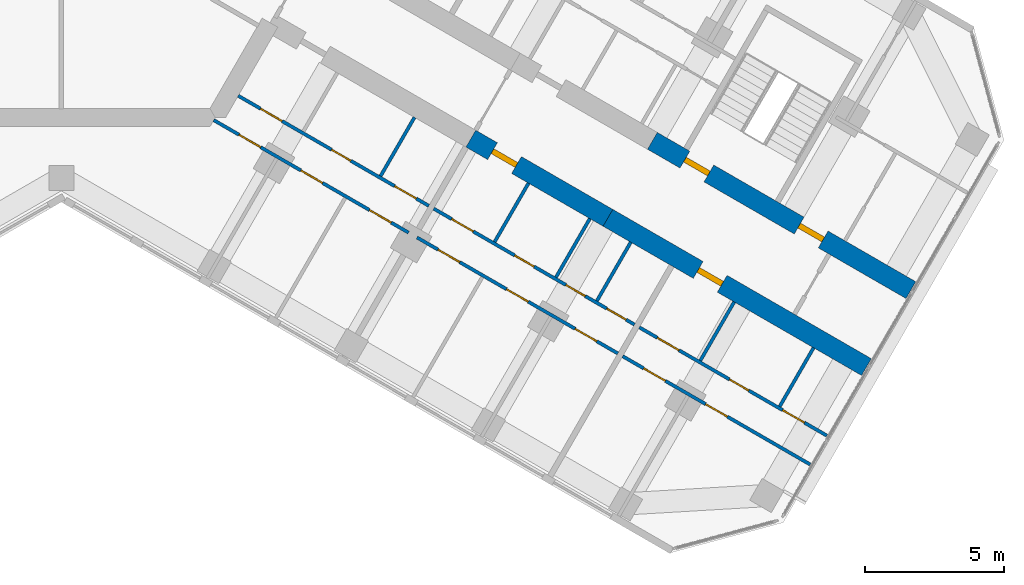
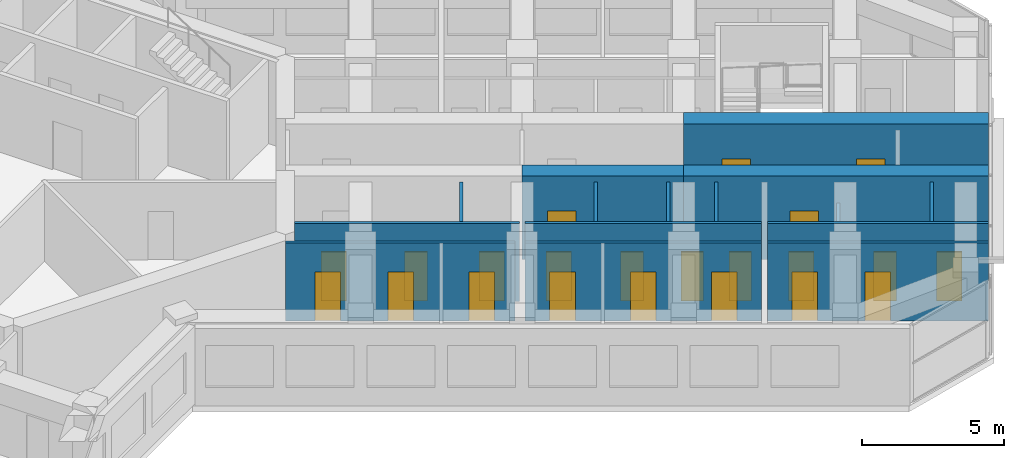
# One storey, part 11 of 16: 22 doors, 15 walls, 22 openings.
"""IFC4 building model written with IfcOpenShell, lengths in metres."""

from ifc_helpers import new_model, si_unit, direction, frame, frame_2d, origin, place, context, subcontext, project, spatial, rectangle, extrude, material, layer, layer_set, type_object, element, fill, save


model = new_model("IFC4")

# Units and contexts
model_context = context("Model", 3, precision=1e-05, world=origin(), true_north=direction((0.0, 1.0)))
body_context = subcontext(model_context, "Body", "Model", "MODEL_VIEW")
ifc_project = project(units=[si_unit("LENGTHUNIT", "METRE"), si_unit("AREAUNIT", "SQUARE_METRE"), si_unit("VOLUMEUNIT", "CUBIC_METRE"), si_unit("PLANEANGLEUNIT", "RADIAN"), si_unit("MASSUNIT", "GRAM", prefix="KILO")], contexts=[model_context])

# Site, building, storey
site_placement = place(None, origin())
site = spatial("IfcSite", under=ifc_project, at=site_placement, CompositionType="ELEMENT")
building_placement = place(site_placement, origin())
building = spatial("IfcBuilding", under=site, at=building_placement, Name="Kosmar Iwan School Tower", CompositionType="ELEMENT")
storey_placement = place(building_placement, frame((0.0, 0.0, 197.39990234375)))
storey = spatial("IfcBuildingStorey", under=building, at=storey_placement, Name="L49", CompositionType="ELEMENT", Elevation=197.39990234375)

# Wall, openings, doors
ifc_material_1 = material(Name="Concrete C50/60", Category="concrete")
ifc_layer_1 = layer(ifc_material_1, 0.699951171875)
ifc_layer_set_1 = layer_set([ifc_layer_1], Name="Corridor buttress wall 700")
wall_type_1 = type_object("IfcWallType", Name="Corridor buttress wall 700", PredefinedType="SHEAR", material=ifc_layer_set_1)
wall_1_placement = place(storey_placement, frame((21.281494140625, -10.439453125, 0.0), z_axis=(0.0, 0.0, 1.0), x_axis=(0.866032345022, -0.499987977232, 0.0)))
wall_1 = element("IfcWall", 1, at=wall_1_placement, inside=storey, type_object=wall_type_1, Name="Corridor wall CL bay 3", PredefinedType="SHEAR", context=body_context, shape_type="SweptSolid", body=[
    extrude(rectangle(XDim=10.744873046875, YDim=0.699951171875, at=frame_2d((5.37255859375, 0.0))), origin(), (0.0, 0.0, 1.0), 3.60009765625),
])
opening_1_placement = place(wall_1_placement, frame((6.10009765625, 0.0, 0.0)))
opening_1 = element("IfcOpeningElement", 2, at=opening_1_placement, cuts=wall_1, Name="Opening D1", PredefinedType="OPENING", context=body_context, shape_type="SweptSolid", body=[
    extrude(rectangle(XDim=1.0, YDim=2.10009765625, at=frame_2d((0.5, 1.050048828125))), frame((0.0, 0.362060546875, 0.0), z_axis=(0.0, -1.0, 0.0), x_axis=(1.0, 0.0, 0.0)), (0.0, 0.0, 1.0), 0.723876953125),
])
opening_2_placement = place(wall_1_placement, frame((1.35009765625, 0.0, 0.0)))
opening_2 = element("IfcOpeningElement", 3, at=opening_2_placement, cuts=wall_1, Name="Opening D6", PredefinedType="OPENING", context=body_context, shape_type="SweptSolid", body=[
    extrude(rectangle(XDim=1.0, YDim=2.10009765625, at=frame_2d((0.5, 1.050048828125))), frame((0.0, 0.362060546875, 0.0), z_axis=(0.0, -1.0, 0.0), x_axis=(1.0, 0.0, 0.0)), (0.0, 0.0, 1.0), 0.723876953125),
])
ifc_material_2 = material(Name="Timber fire door in steel frame", Category="steel")
door_type_1 = type_object("IfcDoorType", Name="Flat entrance door 1000x2100", OperationType="SINGLE_SWING_LEFT", PredefinedType="DOOR", material=ifc_material_2)
door_1_placement = place(opening_1_placement, origin())
door_1 = element("IfcDoor", 4, at=door_1_placement, inside=storey, type_object=door_type_1, Name="Flat L49-CL3 entrance door", OperationType="SINGLE_SWING_RIGHT", OverallHeight=2.10009765625, OverallWidth=1.0, PredefinedType="DOOR", context=body_context, shape_type="SweptSolid", body=[
    extrude(rectangle(XDim=1.0, YDim=2.10009765625, at=frame_2d((0.5, 1.050048828125))), frame((0.0, 0.10009765625, 0.0), z_axis=(0.0, -1.0, 0.0), x_axis=(1.0, 0.0, 0.0)), (0.0, 0.0, 1.0), 0.199951171875),
])
fill(opening_1, door_1)
ifc_material_3 = material(Name="Steel fire door", Category="steel")
door_type_2 = type_object("IfcDoorType", Name="Stair door 1000x2100", OperationType="SINGLE_SWING_LEFT", PredefinedType="DOOR", material=ifc_material_3)
door_2_placement = place(opening_2_placement, origin())
door_2 = element("IfcDoor", 5, at=door_2_placement, inside=storey, type_object=door_type_2, Name="Stair WS3 door L49", OperationType="SINGLE_SWING_LEFT", OverallHeight=2.10009765625, OverallWidth=1.0, PredefinedType="DOOR", context=body_context, shape_type="SweptSolid", body=[
    extrude(rectangle(XDim=1.0, YDim=2.10009765625, at=frame_2d((0.5, 1.050048828125))), frame((0.0, 0.10009765625, 0.0), z_axis=(0.0, -1.0, 0.0), x_axis=(1.0, 0.0, 0.0)), (0.0, 0.0, 1.0), 0.199951171875),
])
fill(opening_2, door_2)

# Wall, opening, door
wall_2_placement = place(storey_placement, frame((14.7451171875, -10.360595703125, 0.0), z_axis=(0.0, 0.0, 1.0), x_axis=(0.866015111908, -0.50001782563, 0.0)))
wall_2 = element("IfcWall", 6, at=wall_2_placement, inside=storey, type_object=wall_type_1, Name="Corridor wall CR bay 2", PredefinedType="SHEAR", context=body_context, shape_type="SweptSolid", body=[
    extrude(rectangle(XDim=5.699951171875, YDim=0.699951171875, at=frame_2d((2.85009765625, 0.0))), origin(), (0.0, 0.0, 1.0), 3.60009765625),
])
opening_3_placement = place(wall_2_placement, frame((0.89990234375, 0.0, 0.0)))
opening_3 = element("IfcOpeningElement", 7, at=opening_3_placement, cuts=wall_2, Name="Opening D1", PredefinedType="OPENING", context=body_context, shape_type="SweptSolid", body=[
    extrude(rectangle(XDim=1.0, YDim=2.10009765625, at=frame_2d((0.5, 1.050048828125))), frame((0.0, 0.362060546875, 0.0), z_axis=(0.0, -1.0, 0.0), x_axis=(1.0, 0.0, 0.0)), (0.0, 0.0, 1.0), 0.723876953125),
])
door_3_placement = place(opening_3_placement, origin())
door_3 = element("IfcDoor", 8, at=door_3_placement, inside=storey, type_object=door_type_1, Name="Flat L49-CR2 entrance door", OperationType="SINGLE_SWING_LEFT", OverallHeight=2.10009765625, OverallWidth=1.0, PredefinedType="DOOR", context=body_context, shape_type="SweptSolid", body=[
    extrude(rectangle(XDim=1.0, YDim=2.10009765625, at=frame_2d((0.5, 1.050048828125))), frame((0.0, 0.10009765625, 0.0), z_axis=(0.0, -1.0, 0.0), x_axis=(1.0, 0.0, 0.0)), (0.0, 0.0, 1.0), 0.199951171875),
])
fill(opening_3, door_3)

wall_3_placement = place(storey_placement, frame((19.681396484375, -13.210693359375, 0.0), z_axis=(0.0, 0.0, 1.0), x_axis=(0.866028186671, -0.499995179869, 0.0)))
wall_3 = element("IfcWall", 9, at=wall_3_placement, inside=storey, type_object=wall_type_1, Name="Corridor wall CR bay 3", PredefinedType="SHEAR", context=body_context, shape_type="SweptSolid", body=[
    extrude(rectangle(XDim=10.7451171875, YDim=0.699951171875, at=frame_2d((5.37255859375, 0.0))), origin(), (0.0, 0.0, 1.0), 3.60009765625),
])
opening_4_placement = place(wall_3_placement, frame((3.75, 0.0, 0.0)))
opening_4 = element("IfcOpeningElement", 10, at=opening_4_placement, cuts=wall_3, Name="Opening D1", PredefinedType="OPENING", context=body_context, shape_type="SweptSolid", body=[
    extrude(rectangle(XDim=1.0, YDim=2.10009765625, at=frame_2d((0.5, 1.050048828125))), frame((0.0, 0.362060546875, 0.0), z_axis=(0.0, -1.0, 0.0), x_axis=(1.0, 0.0, 0.0)), (0.0, 0.0, 1.0), 0.723876953125),
])
door_4_placement = place(opening_4_placement, origin())
door_4 = element("IfcDoor", 11, at=door_4_placement, inside=storey, type_object=door_type_1, Name="Flat L49-CR3 entrance door", OperationType="SINGLE_SWING_RIGHT", OverallHeight=2.10009765625, OverallWidth=1.0, PredefinedType="DOOR", context=body_context, shape_type="SweptSolid", body=[
    extrude(rectangle(XDim=1.0, YDim=2.10009765625, at=frame_2d((0.5, 1.050048828125))), frame((0.0, 0.10009765625, 0.0), z_axis=(0.0, -1.0, 0.0), x_axis=(1.0, 0.0, 0.0)), (0.0, 0.0, 1.0), 0.199951171875),
])
fill(opening_4, door_4)

# Wall, openings, doors
ifc_material_4 = material(Name="Gypsum board on steel studs", Category="steel")
ifc_layer_2 = layer(ifc_material_4, 0.1201171875)
ifc_layer_set_2 = layer_set([ifc_layer_2], Name="Dwelling partition 120")
wall_type_2 = type_object("IfcWallType", Name="Dwelling partition 120", PredefinedType="PARTITIONING", material=ifc_layer_set_2)
wall_4_placement = place(storey_placement, frame((6.370361328125, -8.81640625, 0.0), z_axis=(0.0, 0.0, 1.0), x_axis=(0.866031683564, -0.499989122945, 0.0)))
wall_4 = element("IfcWall", 12, at=wall_4_placement, inside=storey, type_object=wall_type_2, Name="Partition L49-CR1-W1", PredefinedType="PARTITIONING", context=body_context, shape_type="SweptSolid", body=[
    extrude(rectangle(XDim=7.925048828125, YDim=0.1201171875, at=frame_2d((3.96240234375, 0.0))), origin(), (0.0, 0.0, 1.0), 3.35009765625),
])
opening_5_placement = place(wall_4_placement, frame((0.925048828125, 0.0, 0.0)))
opening_5 = element("IfcOpeningElement", 13, at=opening_5_placement, cuts=wall_4, Name="Opening D2", PredefinedType="OPENING", context=body_context, shape_type="SweptSolid", body=[
    extrude(rectangle(XDim=0.89990234375, YDim=2.10009765625, at=frame_2d((0.449951171875, 1.050048828125))), frame((0.0, 0.072021484375, 0.0), z_axis=(0.0, -1.0, 0.0), x_axis=(1.0, 0.0, 0.0)), (0.0, 0.0, 1.0), 0.14404296875),
])
opening_6_placement = place(wall_4_placement, frame((3.880126953125, 0.0, 0.0)))
opening_6 = element("IfcOpeningElement", 14, at=opening_6_placement, cuts=wall_4, Name="Opening D3", PredefinedType="OPENING", context=body_context, shape_type="SweptSolid", body=[
    extrude(rectangle(XDim=0.800048828125, YDim=2.10009765625, at=frame_2d((0.39990234375, 1.050048828125))), frame((0.0, 0.072021484375, 0.0), z_axis=(0.0, -1.0, 0.0), x_axis=(1.0, 0.0, 0.0)), (0.0, 0.0, 1.0), 0.14404296875),
])
opening_7_placement = place(wall_4_placement, frame((6.505126953125, 0.0, 0.0)))
opening_7 = element("IfcOpeningElement", 15, at=opening_7_placement, cuts=wall_4, Name="Opening D2", PredefinedType="OPENING", context=body_context, shape_type="SweptSolid", body=[
    extrude(rectangle(XDim=0.89990234375, YDim=2.10009765625, at=frame_2d((0.449951171875, 1.050048828125))), frame((0.0, 0.072021484375, 0.0), z_axis=(0.0, -1.0, 0.0), x_axis=(1.0, 0.0, 0.0)), (0.0, 0.0, 1.0), 0.14404296875),
])
ifc_material_5 = material(Name="Timber door in timber frame", Category="wood")
door_type_3 = type_object("IfcDoorType", Name="Internal door 900x2100", OperationType="SINGLE_SWING_LEFT", PredefinedType="DOOR", material=ifc_material_5)
door_5_placement = place(opening_5_placement, origin())
door_5 = element("IfcDoor", 16, at=door_5_placement, inside=storey, type_object=door_type_3, Name="Entrance hall door L49-CR1-S1", OperationType="SINGLE_SWING_RIGHT", OverallHeight=2.10009765625, OverallWidth=0.89990234375, PredefinedType="DOOR", context=body_context, shape_type="SweptSolid", body=[
    extrude(rectangle(XDim=0.89990234375, YDim=2.10009765625, at=frame_2d((0.449951171875, 1.050048828125))), frame((0.0, 0.02490234375, 0.0), z_axis=(0.0, -1.0, 0.0), x_axis=(1.0, 0.0, 0.0)), (0.0, 0.0, 1.0), 0.050048828125),
])
fill(opening_5, door_5)
door_6_placement = place(opening_7_placement, origin())
door_6 = element("IfcDoor", 17, at=door_6_placement, inside=storey, type_object=door_type_3, Name="Pantry door L49-CR1-S3", OperationType="SINGLE_SWING_RIGHT", OverallHeight=2.10009765625, OverallWidth=0.89990234375, PredefinedType="DOOR", context=body_context, shape_type="SweptSolid", body=[
    extrude(rectangle(XDim=0.89990234375, YDim=2.10009765625, at=frame_2d((0.449951171875, 1.050048828125))), frame((0.0, 0.02490234375, 0.0), z_axis=(0.0, -1.0, 0.0), x_axis=(1.0, 0.0, 0.0)), (0.0, 0.0, 1.0), 0.050048828125),
])
fill(opening_7, door_6)
ifc_material_6 = material(Name="Timber door in timber frame", Category="wood")
door_type_4 = type_object("IfcDoorType", Name="Sanitary room door 800x2100", OperationType="SINGLE_SWING_LEFT", PredefinedType="DOOR", material=ifc_material_6)
door_7_placement = place(opening_6_placement, origin())
door_7 = element("IfcDoor", 18, at=door_7_placement, inside=storey, type_object=door_type_4, Name="Bathroom door L49-CR1-S2", OperationType="SINGLE_SWING_LEFT", OverallHeight=2.10009765625, OverallWidth=0.800048828125, PredefinedType="DOOR", context=body_context, shape_type="SweptSolid", body=[
    extrude(rectangle(XDim=0.800048828125, YDim=2.10009765625, at=frame_2d((0.39990234375, 1.050048828125))), frame((0.0, 0.02490234375, 0.0), z_axis=(0.0, -1.0, 0.0), x_axis=(1.0, 0.0, 0.0)), (0.0, 0.0, 1.0), 0.050048828125),
])
fill(opening_6, door_7)

wall_5_placement = place(storey_placement, frame((5.48876953125, -9.693115234375, 0.0), z_axis=(0.0, 0.0, 1.0), x_axis=(0.866025472755, -0.499999880539, 0.0)))
wall_5 = element("IfcWall", 19, at=wall_5_placement, inside=storey, type_object=wall_type_2, Name="Partition L49-CR1-W2", PredefinedType="PARTITIONING", context=body_context, shape_type="SweptSolid", body=[
    extrude(rectangle(XDim=8.10009765625, YDim=0.1201171875, at=frame_2d((4.050048828125, 0.0))), origin(), (0.0, 0.0, 1.0), 3.35009765625),
])
opening_8_placement = place(wall_5_placement, frame((1.050048828125, 0.0, 0.0)))
opening_8 = element("IfcOpeningElement", 20, at=opening_8_placement, cuts=wall_5, Name="Opening D2", PredefinedType="OPENING", context=body_context, shape_type="SweptSolid", body=[
    extrude(rectangle(XDim=0.89990234375, YDim=2.10009765625, at=frame_2d((0.449951171875, 1.050048828125))), frame((0.0, 0.072021484375, 0.0), z_axis=(0.0, -1.0, 0.0), x_axis=(1.0, 0.0, 0.0)), (0.0, 0.0, 1.0), 0.14404296875),
])
opening_9_placement = place(wall_5_placement, frame((3.625, 0.0, 0.0)))
opening_9 = element("IfcOpeningElement", 21, at=opening_9_placement, cuts=wall_5, Name="Opening D2", PredefinedType="OPENING", context=body_context, shape_type="SweptSolid", body=[
    extrude(rectangle(XDim=0.89990234375, YDim=2.10009765625, at=frame_2d((0.449951171875, 1.050048828125))), frame((0.0, 0.072021484375, 0.0), z_axis=(0.0, -1.0, 0.0), x_axis=(1.0, 0.0, 0.0)), (0.0, 0.0, 1.0), 0.14404296875),
])
opening_10_placement = place(wall_5_placement, frame((6.47509765625, 0.0, 0.0)))
opening_10 = element("IfcOpeningElement", 22, at=opening_10_placement, cuts=wall_5, Name="Opening D2", PredefinedType="OPENING", context=body_context, shape_type="SweptSolid", body=[
    extrude(rectangle(XDim=0.89990234375, YDim=2.10009765625, at=frame_2d((0.449951171875, 1.050048828125))), frame((0.0, 0.072021484375, 0.0), z_axis=(0.0, -1.0, 0.0), x_axis=(1.0, 0.0, 0.0)), (0.0, 0.0, 1.0), 0.14404296875),
])
door_8_placement = place(opening_8_placement, origin())
door_8 = element("IfcDoor", 23, at=door_8_placement, inside=storey, type_object=door_type_3, Name="Living room and kitchen door L49-CR1-F1", OperationType="SINGLE_SWING_LEFT", OverallHeight=2.10009765625, OverallWidth=0.89990234375, PredefinedType="DOOR", context=body_context, shape_type="SweptSolid", body=[
    extrude(rectangle(XDim=0.89990234375, YDim=2.10009765625, at=frame_2d((0.449951171875, 1.050048828125))), frame((0.0, 0.02490234375, 0.0), z_axis=(0.0, -1.0, 0.0), x_axis=(1.0, 0.0, 0.0)), (0.0, 0.0, 1.0), 0.050048828125),
])
fill(opening_8, door_8)
door_9_placement = place(opening_9_placement, origin())
door_9 = element("IfcDoor", 24, at=door_9_placement, inside=storey, type_object=door_type_3, Name="Study door L49-CR1-F2", OperationType="SINGLE_SWING_LEFT", OverallHeight=2.10009765625, OverallWidth=0.89990234375, PredefinedType="DOOR", context=body_context, shape_type="SweptSolid", body=[
    extrude(rectangle(XDim=0.89990234375, YDim=2.10009765625, at=frame_2d((0.449951171875, 1.050048828125))), frame((0.0, 0.02490234375, 0.0), z_axis=(0.0, -1.0, 0.0), x_axis=(1.0, 0.0, 0.0)), (0.0, 0.0, 1.0), 0.050048828125),
])
fill(opening_9, door_9)
door_10_placement = place(opening_10_placement, origin())
door_10 = element("IfcDoor", 25, at=door_10_placement, inside=storey, type_object=door_type_3, Name="Bedroom 1 door L49-CR1-F3", OperationType="SINGLE_SWING_RIGHT", OverallHeight=2.10009765625, OverallWidth=0.89990234375, PredefinedType="DOOR", context=body_context, shape_type="SweptSolid", body=[
    extrude(rectangle(XDim=0.89990234375, YDim=2.10009765625, at=frame_2d((0.449951171875, 1.050048828125))), frame((0.0, 0.02490234375, 0.0), z_axis=(0.0, -1.0, 0.0), x_axis=(1.0, 0.0, 0.0)), (0.0, 0.0, 1.0), 0.050048828125),
])
fill(opening_10, door_10)

# Wall
wall_6_placement = place(storey_placement, frame((12.716796875, -9.59375, 0.0), z_axis=(0.0, 0.0, 1.0), x_axis=(-0.500002508028, -0.866023955769, 0.0)))
element("IfcWall", 26, at=wall_6_placement, inside=storey, type_object=wall_type_2, Name="Partition L49-CR1-Y2", PredefinedType="PARTITIONING", context=body_context, shape_type="SweptSolid", body=[
    extrude(rectangle(XDim=2.43994140625, YDim=0.1201171875, at=frame_2d((1.219970703125, 0.0))), origin(), (0.0, 0.0, 1.0), 3.35009765625),
])

# Wall, openings, doors
wall_7_placement = place(storey_placement, frame((13.40673828125, -12.87890625, 0.0), z_axis=(0.0, 0.0, 1.0), x_axis=(0.866039519639, -0.499975549825, 0.0)))
wall_7 = element("IfcWall", 27, at=wall_7_placement, inside=storey, type_object=wall_type_2, Name="Partition L49-CR2-W1", PredefinedType="PARTITIONING", context=body_context, shape_type="SweptSolid", body=[
    extrude(rectangle(XDim=8.35009765625, YDim=0.1201171875, at=frame_2d((4.175048828125, 0.0))), origin(), (0.0, 0.0, 1.0), 3.35009765625),
])
opening_11_placement = place(wall_7_placement, frame((0.75, 0.0, 0.0)))
opening_11 = element("IfcOpeningElement", 28, at=opening_11_placement, cuts=wall_7, Name="Opening D2", PredefinedType="OPENING", context=body_context, shape_type="SweptSolid", body=[
    extrude(rectangle(XDim=0.89990234375, YDim=2.10009765625, at=frame_2d((0.449951171875, 1.050048828125))), frame((0.0, 0.072021484375, 0.0), z_axis=(0.0, -1.0, 0.0), x_axis=(1.0, 0.0, 0.0)), (0.0, 0.0, 1.0), 0.14404296875),
])
opening_12_placement = place(wall_7_placement, frame((3.375, 0.0, 0.0)))
opening_12 = element("IfcOpeningElement", 29, at=opening_12_placement, cuts=wall_7, Name="Opening D3", PredefinedType="OPENING", context=body_context, shape_type="SweptSolid", body=[
    extrude(rectangle(XDim=0.800048828125, YDim=2.10009765625, at=frame_2d((0.39990234375, 1.050048828125))), frame((0.0, 0.072021484375, 0.0), z_axis=(0.0, -1.0, 0.0), x_axis=(1.0, 0.0, 0.0)), (0.0, 0.0, 1.0), 0.14404296875),
])
opening_13_placement = place(wall_7_placement, frame((5.5, 0.0, 0.0)))
opening_13 = element("IfcOpeningElement", 30, at=opening_13_placement, cuts=wall_7, Name="Opening D3", PredefinedType="OPENING", context=body_context, shape_type="SweptSolid", body=[
    extrude(rectangle(XDim=0.800048828125, YDim=2.10009765625, at=frame_2d((0.39990234375, 1.050048828125))), frame((0.0, 0.072021484375, 0.0), z_axis=(0.0, -1.0, 0.0), x_axis=(1.0, 0.0, 0.0)), (0.0, 0.0, 1.0), 0.14404296875),
])
opening_14_placement = place(wall_7_placement, frame((7.199951171875, 0.0, 0.0)))
opening_14 = element("IfcOpeningElement", 31, at=opening_14_placement, cuts=wall_7, Name="Opening D3", PredefinedType="OPENING", context=body_context, shape_type="SweptSolid", body=[
    extrude(rectangle(XDim=0.800048828125, YDim=2.10009765625, at=frame_2d((0.39990234375, 1.050048828125))), frame((0.0, 0.072021484375, 0.0), z_axis=(0.0, -1.0, 0.0), x_axis=(1.0, 0.0, 0.0)), (0.0, 0.0, 1.0), 0.14404296875),
])
door_11_placement = place(opening_11_placement, origin())
door_11 = element("IfcDoor", 32, at=door_11_placement, inside=storey, type_object=door_type_3, Name="Entrance hall door L49-CR2-S1", OperationType="SINGLE_SWING_RIGHT", OverallHeight=2.10009765625, OverallWidth=0.89990234375, PredefinedType="DOOR", context=body_context, shape_type="SweptSolid", body=[
    extrude(rectangle(XDim=0.89990234375, YDim=2.10009765625, at=frame_2d((0.449951171875, 1.050048828125))), frame((0.0, 0.02490234375, 0.0), z_axis=(0.0, -1.0, 0.0), x_axis=(1.0, 0.0, 0.0)), (0.0, 0.0, 1.0), 0.050048828125),
])
fill(opening_11, door_11)
door_12_placement = place(opening_12_placement, origin())
door_12 = element("IfcDoor", 33, at=door_12_placement, inside=storey, type_object=door_type_4, Name="Bathroom door L49-CR2-S2", OperationType="SINGLE_SWING_LEFT", OverallHeight=2.10009765625, OverallWidth=0.800048828125, PredefinedType="DOOR", context=body_context, shape_type="SweptSolid", body=[
    extrude(rectangle(XDim=0.800048828125, YDim=2.10009765625, at=frame_2d((0.39990234375, 1.050048828125))), frame((0.0, 0.02490234375, 0.0), z_axis=(0.0, -1.0, 0.0), x_axis=(1.0, 0.0, 0.0)), (0.0, 0.0, 1.0), 0.050048828125),
])
fill(opening_12, door_12)
door_13_placement = place(opening_13_placement, origin())
door_13 = element("IfcDoor", 34, at=door_13_placement, inside=storey, type_object=door_type_4, Name="Grandparents' shower room door L49-CR2-S3", OperationType="SINGLE_SWING_RIGHT", OverallHeight=2.10009765625, OverallWidth=0.800048828125, PredefinedType="DOOR", context=body_context, shape_type="SweptSolid", body=[
    extrude(rectangle(XDim=0.800048828125, YDim=2.10009765625, at=frame_2d((0.39990234375, 1.050048828125))), frame((0.0, 0.02490234375, 0.0), z_axis=(0.0, -1.0, 0.0), x_axis=(1.0, 0.0, 0.0)), (0.0, 0.0, 1.0), 0.050048828125),
])
fill(opening_13, door_13)
door_14_placement = place(opening_14_placement, origin())
door_14 = element("IfcDoor", 35, at=door_14_placement, inside=storey, type_object=door_type_4, Name="Shower room door L49-CR2-S4", OperationType="SINGLE_SWING_RIGHT", OverallHeight=2.10009765625, OverallWidth=0.800048828125, PredefinedType="DOOR", context=body_context, shape_type="SweptSolid", body=[
    extrude(rectangle(XDim=0.800048828125, YDim=2.10009765625, at=frame_2d((0.39990234375, 1.050048828125))), frame((0.0, 0.02490234375, 0.0), z_axis=(0.0, -1.0, 0.0), x_axis=(1.0, 0.0, 0.0)), (0.0, 0.0, 1.0), 0.050048828125),
])
fill(opening_14, door_14)

wall_8_placement = place(storey_placement, frame((12.806640625, -13.91796875, 0.0), z_axis=(0.0, 0.0, 1.0), x_axis=(0.866026859388, -0.499997478812, 0.0)))
wall_8 = element("IfcWall", 36, at=wall_8_placement, inside=storey, type_object=wall_type_2, Name="Partition L49-CR2-W2", PredefinedType="PARTITIONING", context=body_context, shape_type="SweptSolid", body=[
    extrude(rectangle(XDim=8.35009765625, YDim=0.1201171875, at=frame_2d((4.175048828125, 0.0))), origin(), (0.0, 0.0, 1.0), 3.35009765625),
])
opening_15_placement = place(wall_8_placement, frame((0.875, 0.0, 0.0)))
opening_15 = element("IfcOpeningElement", 37, at=opening_15_placement, cuts=wall_8, Name="Opening D2", PredefinedType="OPENING", context=body_context, shape_type="SweptSolid", body=[
    extrude(rectangle(XDim=0.89990234375, YDim=2.10009765625, at=frame_2d((0.449951171875, 1.050048828125))), frame((0.0, 0.072021484375, 0.0), z_axis=(0.0, -1.0, 0.0), x_axis=(1.0, 0.0, 0.0)), (0.0, 0.0, 1.0), 0.14404296875),
])
opening_16_placement = place(wall_8_placement, frame((3.72509765625, 0.0, 0.0)))
opening_16 = element("IfcOpeningElement", 38, at=opening_16_placement, cuts=wall_8, Name="Opening D2", PredefinedType="OPENING", context=body_context, shape_type="SweptSolid", body=[
    extrude(rectangle(XDim=0.89990234375, YDim=2.10009765625, at=frame_2d((0.449951171875, 1.050048828125))), frame((0.0, 0.072021484375, 0.0), z_axis=(0.0, -1.0, 0.0), x_axis=(1.0, 0.0, 0.0)), (0.0, 0.0, 1.0), 0.14404296875),
])
opening_17_placement = place(wall_8_placement, frame((6.574951171875, 0.0, 0.0)))
opening_17 = element("IfcOpeningElement", 39, at=opening_17_placement, cuts=wall_8, Name="Opening D2", PredefinedType="OPENING", context=body_context, shape_type="SweptSolid", body=[
    extrude(rectangle(XDim=0.89990234375, YDim=2.10009765625, at=frame_2d((0.449951171875, 1.050048828125))), frame((0.0, 0.072021484375, 0.0), z_axis=(0.0, -1.0, 0.0), x_axis=(1.0, 0.0, 0.0)), (0.0, 0.0, 1.0), 0.14404296875),
])
door_15_placement = place(opening_15_placement, origin())
door_15 = element("IfcDoor", 40, at=door_15_placement, inside=storey, type_object=door_type_3, Name="Grandparents' suite door L49-CR2-F1", OperationType="SINGLE_SWING_LEFT", OverallHeight=2.10009765625, OverallWidth=0.89990234375, PredefinedType="DOOR", context=body_context, shape_type="SweptSolid", body=[
    extrude(rectangle(XDim=0.89990234375, YDim=2.10009765625, at=frame_2d((0.449951171875, 1.050048828125))), frame((0.0, 0.02490234375, 0.0), z_axis=(0.0, -1.0, 0.0), x_axis=(1.0, 0.0, 0.0)), (0.0, 0.0, 1.0), 0.050048828125),
])
fill(opening_15, door_15)
door_16_placement = place(opening_16_placement, origin())
door_16 = element("IfcDoor", 41, at=door_16_placement, inside=storey, type_object=door_type_3, Name="Living room and kitchen door L49-CR2-F2", OperationType="SINGLE_SWING_RIGHT", OverallHeight=2.10009765625, OverallWidth=0.89990234375, PredefinedType="DOOR", context=body_context, shape_type="SweptSolid", body=[
    extrude(rectangle(XDim=0.89990234375, YDim=2.10009765625, at=frame_2d((0.449951171875, 1.050048828125))), frame((0.0, 0.02490234375, 0.0), z_axis=(0.0, -1.0, 0.0), x_axis=(1.0, 0.0, 0.0)), (0.0, 0.0, 1.0), 0.050048828125),
])
fill(opening_16, door_16)
door_17_placement = place(opening_17_placement, origin())
door_17 = element("IfcDoor", 42, at=door_17_placement, inside=storey, type_object=door_type_3, Name="Bedroom 1 door L49-CR2-F3", OperationType="SINGLE_SWING_RIGHT", OverallHeight=2.10009765625, OverallWidth=0.89990234375, PredefinedType="DOOR", context=body_context, shape_type="SweptSolid", body=[
    extrude(rectangle(XDim=0.89990234375, YDim=2.10009765625, at=frame_2d((0.449951171875, 1.050048828125))), frame((0.0, 0.02490234375, 0.0), z_axis=(0.0, -1.0, 0.0), x_axis=(1.0, 0.0, 0.0)), (0.0, 0.0, 1.0), 0.050048828125),
])
fill(opening_17, door_17)

# Walls
wall_9_placement = place(storey_placement, frame((16.82177734375, -11.963623046875, 0.0), z_axis=(0.0, 0.0, 1.0), x_axis=(-0.499959183527, -0.866048967903, 0.0)))
element("IfcWall", 43, at=wall_9_placement, inside=storey, type_object=wall_type_2, Name="Partition L49-CR2-Y1", PredefinedType="PARTITIONING", context=body_context, shape_type="SweptSolid", body=[
    extrude(rectangle(XDim=2.440185546875, YDim=0.1201171875, at=frame_2d((1.22021484375, 0.0))), origin(), (0.0, 0.0, 1.0), 3.35009765625),
])
wall_10_placement = place(storey_placement, frame((19.0302734375, -13.23876953125, 0.0), z_axis=(0.0, 0.0, 1.0), x_axis=(-0.500002508028, -0.866023955769, 0.0)))
element("IfcWall", 44, at=wall_10_placement, inside=storey, type_object=wall_type_2, Name="Partition L49-CR2-Y2", PredefinedType="PARTITIONING", context=body_context, shape_type="SweptSolid", body=[
    extrude(rectangle(XDim=2.43994140625, YDim=0.1201171875, at=frame_2d((1.219970703125, 0.0))), origin(), (0.0, 0.0, 1.0), 3.35009765625),
])
wall_11_placement = place(storey_placement, frame((20.50244140625, -14.088623046875, 0.0), z_axis=(0.0, 0.0, 1.0), x_axis=(-0.499959183527, -0.866048967903, 0.0)))
element("IfcWall", 45, at=wall_11_placement, inside=storey, type_object=wall_type_2, Name="Partition L49-CR2-Y3", PredefinedType="PARTITIONING", context=body_context, shape_type="SweptSolid", body=[
    extrude(rectangle(XDim=2.440185546875, YDim=0.1201171875, at=frame_2d((1.22021484375, 0.0))), origin(), (0.0, 0.0, 1.0), 3.35009765625),
])

# Wall, openings, doors
wall_12_placement = place(storey_placement, frame((20.811279296875, -17.15380859375, 0.0), z_axis=(0.0, 0.0, 1.0), x_axis=(0.866029639064, -0.499992664208, 0.0)))
wall_12 = element("IfcWall", 46, at=wall_12_placement, inside=storey, type_object=wall_type_2, Name="Partition L49-CR3-W1", PredefinedType="PARTITIONING", context=body_context, shape_type="SweptSolid", body=[
    extrude(rectangle(XDim=7.794921875, YDim=0.1201171875, at=frame_2d((3.8974609375, 0.0))), origin(), (0.0, 0.0, 1.0), 3.35009765625),
])
opening_18_placement = place(wall_12_placement, frame((0.75, 0.0, 0.0)))
opening_18 = element("IfcOpeningElement", 47, at=opening_18_placement, cuts=wall_12, Name="Opening D2", PredefinedType="OPENING", context=body_context, shape_type="SweptSolid", body=[
    extrude(rectangle(XDim=0.89990234375, YDim=2.10009765625, at=frame_2d((0.449951171875, 1.050048828125))), frame((0.0, 0.072021484375, 0.0), z_axis=(0.0, -1.0, 0.0), x_axis=(1.0, 0.0, 0.0)), (0.0, 0.0, 1.0), 0.14404296875),
])
opening_19_placement = place(wall_12_placement, frame((3.75, 0.0, 0.0)))
opening_19 = element("IfcOpeningElement", 48, at=opening_19_placement, cuts=wall_12, Name="Opening D3", PredefinedType="OPENING", context=body_context, shape_type="SweptSolid", body=[
    extrude(rectangle(XDim=0.800048828125, YDim=2.10009765625, at=frame_2d((0.39990234375, 1.050048828125))), frame((0.0, 0.072021484375, 0.0), z_axis=(0.0, -1.0, 0.0), x_axis=(1.0, 0.0, 0.0)), (0.0, 0.0, 1.0), 0.14404296875),
])
opening_20_placement = place(wall_12_placement, frame((5.9599609375, 0.0, 0.0)))
opening_20 = element("IfcOpeningElement", 49, at=opening_20_placement, cuts=wall_12, Name="Opening D2", PredefinedType="OPENING", context=body_context, shape_type="SweptSolid", body=[
    extrude(rectangle(XDim=0.89990234375, YDim=2.10009765625, at=frame_2d((0.449951171875, 1.050048828125))), frame((0.0, 0.072021484375, 0.0), z_axis=(0.0, -1.0, 0.0), x_axis=(1.0, 0.0, 0.0)), (0.0, 0.0, 1.0), 0.14404296875),
])
door_18_placement = place(opening_18_placement, origin())
door_18 = element("IfcDoor", 50, at=door_18_placement, inside=storey, type_object=door_type_3, Name="Entrance hall door L49-CR3-S1", OperationType="SINGLE_SWING_LEFT", OverallHeight=2.10009765625, OverallWidth=0.89990234375, PredefinedType="DOOR", context=body_context, shape_type="SweptSolid", body=[
    extrude(rectangle(XDim=0.89990234375, YDim=2.10009765625, at=frame_2d((0.449951171875, 1.050048828125))), frame((0.0, 0.02490234375, 0.0), z_axis=(0.0, -1.0, 0.0), x_axis=(1.0, 0.0, 0.0)), (0.0, 0.0, 1.0), 0.050048828125),
])
fill(opening_18, door_18)
door_19_placement = place(opening_20_placement, origin())
door_19 = element("IfcDoor", 51, at=door_19_placement, inside=storey, type_object=door_type_3, Name="Pantry door L49-CR3-S3", OperationType="SINGLE_SWING_LEFT", OverallHeight=2.10009765625, OverallWidth=0.89990234375, PredefinedType="DOOR", context=body_context, shape_type="SweptSolid", body=[
    extrude(rectangle(XDim=0.89990234375, YDim=2.10009765625, at=frame_2d((0.449951171875, 1.050048828125))), frame((0.0, 0.02490234375, 0.0), z_axis=(0.0, -1.0, 0.0), x_axis=(1.0, 0.0, 0.0)), (0.0, 0.0, 1.0), 0.050048828125),
])
fill(opening_20, door_19)
door_20_placement = place(opening_19_placement, origin())
door_20 = element("IfcDoor", 52, at=door_20_placement, inside=storey, type_object=door_type_4, Name="Bathroom door L49-CR3-S2", OperationType="SINGLE_SWING_RIGHT", OverallHeight=2.10009765625, OverallWidth=0.800048828125, PredefinedType="DOOR", context=body_context, shape_type="SweptSolid", body=[
    extrude(rectangle(XDim=0.800048828125, YDim=2.10009765625, at=frame_2d((0.39990234375, 1.050048828125))), frame((0.0, 0.02490234375, 0.0), z_axis=(0.0, -1.0, 0.0), x_axis=(1.0, 0.0, 0.0)), (0.0, 0.0, 1.0), 0.050048828125),
])
fill(opening_19, door_20)

wall_13_placement = place(storey_placement, frame((20.211181640625, -18.193115234375, 0.0), z_axis=(0.0, 0.0, 1.0), x_axis=(0.866029639064, -0.499992664208, 0.0)))
wall_13 = element("IfcWall", 53, at=wall_13_placement, inside=storey, type_object=wall_type_2, Name="Partition L49-CR3-W2", PredefinedType="PARTITIONING", context=body_context, shape_type="SweptSolid", body=[
    extrude(rectangle(XDim=7.794921875, YDim=0.1201171875, at=frame_2d((3.8974609375, 0.0))), origin(), (0.0, 0.0, 1.0), 3.35009765625),
])
opening_21_placement = place(wall_13_placement, frame((0.875, 0.0, 0.0)))
opening_21 = element("IfcOpeningElement", 54, at=opening_21_placement, cuts=wall_13, Name="Opening D2", PredefinedType="OPENING", context=body_context, shape_type="SweptSolid", body=[
    extrude(rectangle(XDim=0.89990234375, YDim=2.10009765625, at=frame_2d((0.449951171875, 1.050048828125))), frame((0.0, 0.072021484375, 0.0), z_axis=(0.0, -1.0, 0.0), x_axis=(1.0, 0.0, 0.0)), (0.0, 0.0, 1.0), 0.14404296875),
])
opening_22_placement = place(wall_13_placement, frame((3.449951171875, 0.0, 0.0)))
opening_22 = element("IfcOpeningElement", 55, at=opening_22_placement, cuts=wall_13, Name="Opening D2", PredefinedType="OPENING", context=body_context, shape_type="SweptSolid", body=[
    extrude(rectangle(XDim=0.89990234375, YDim=2.10009765625, at=frame_2d((0.449951171875, 1.050048828125))), frame((0.0, 0.072021484375, 0.0), z_axis=(0.0, -1.0, 0.0), x_axis=(1.0, 0.0, 0.0)), (0.0, 0.0, 1.0), 0.14404296875),
])
door_21_placement = place(opening_21_placement, origin())
door_21 = element("IfcDoor", 56, at=door_21_placement, inside=storey, type_object=door_type_3, Name="Bedroom 1 door L49-CR3-F1", OperationType="SINGLE_SWING_LEFT", OverallHeight=2.10009765625, OverallWidth=0.89990234375, PredefinedType="DOOR", context=body_context, shape_type="SweptSolid", body=[
    extrude(rectangle(XDim=0.89990234375, YDim=2.10009765625, at=frame_2d((0.449951171875, 1.050048828125))), frame((0.0, 0.02490234375, 0.0), z_axis=(0.0, -1.0, 0.0), x_axis=(1.0, 0.0, 0.0)), (0.0, 0.0, 1.0), 0.050048828125),
])
fill(opening_21, door_21)
door_22_placement = place(opening_22_placement, origin())
door_22 = element("IfcDoor", 57, at=door_22_placement, inside=storey, type_object=door_type_3, Name="Living room and kitchen door L49-CR3-F2", OperationType="SINGLE_SWING_RIGHT", OverallHeight=2.10009765625, OverallWidth=0.89990234375, PredefinedType="DOOR", context=body_context, shape_type="SweptSolid", body=[
    extrude(rectangle(XDim=0.89990234375, YDim=2.10009765625, at=frame_2d((0.449951171875, 1.050048828125))), frame((0.0, 0.02490234375, 0.0), z_axis=(0.0, -1.0, 0.0), x_axis=(1.0, 0.0, 0.0)), (0.0, 0.0, 1.0), 0.050048828125),
])
fill(opening_22, door_22)

# Walls
wall_14_placement = place(storey_placement, frame((24.226318359375, -16.23876953125, 0.0), z_axis=(0.0, 0.0, 1.0), x_axis=(-0.500002508028, -0.866023955769, 0.0)))
element("IfcWall", 58, at=wall_14_placement, inside=storey, type_object=wall_type_2, Name="Partition L49-CR3-Y1", PredefinedType="PARTITIONING", context=body_context, shape_type="SweptSolid", body=[
    extrude(rectangle(XDim=2.43994140625, YDim=0.1201171875, at=frame_2d((1.219970703125, 0.0))), origin(), (0.0, 0.0, 1.0), 2.4501953125),
])
wall_15_placement = place(storey_placement, frame((27.084228515625, -17.888671875, 0.0), z_axis=(0.0, 0.0, 1.0), x_axis=(-0.499959183527, -0.866048967903, 0.0)))
element("IfcWall", 59, at=wall_15_placement, inside=storey, type_object=wall_type_2, Name="Partition L49-CR3-Y2", PredefinedType="PARTITIONING", context=body_context, shape_type="SweptSolid", body=[
    extrude(rectangle(XDim=2.440185546875, YDim=0.1201171875, at=frame_2d((1.22021484375, 0.0))), origin(), (0.0, 0.0, 1.0), 3.35009765625),
])

save(model, "model.ifc")
